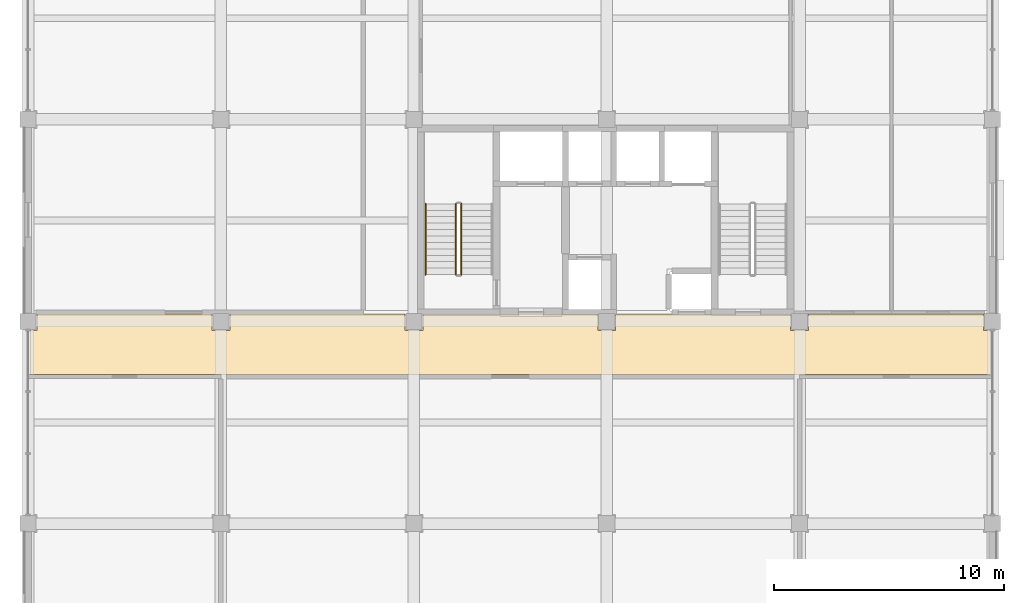
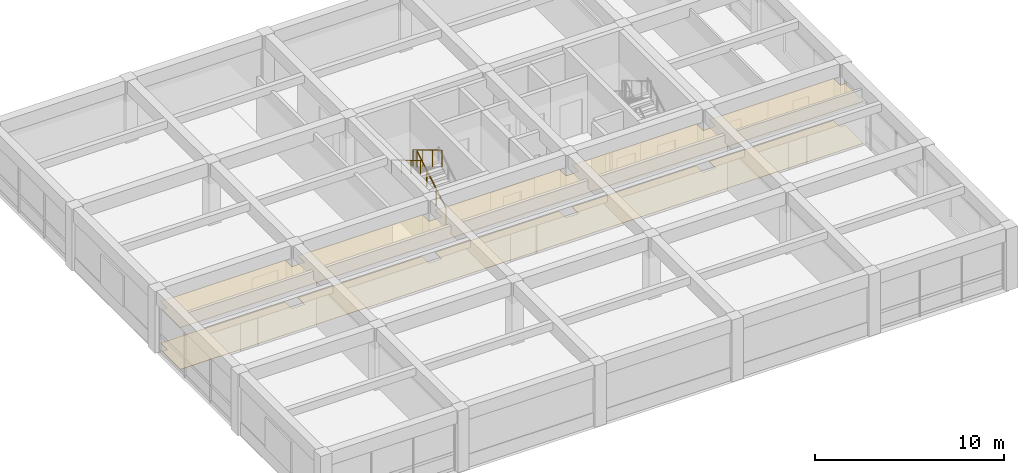
# One storey, part 12 of 14: 3 railings, 2 coverings.
"""IFC4 building model written with IfcOpenShell, lengths in metres."""

from ifc_helpers import new_model, si_unit, direction, frame, origin, origin_2d, place, context, subcontext, project, spatial, polyline, circle, outline, extrude, material, layer, layer_set, type_object, element, save


model = new_model("IFC4")

# Units and contexts
model_context = context("Model", 3, precision=1e-05, world=origin(), true_north=direction((0.0, 1.0)))
body_context = subcontext(model_context, "Body", "Model", "MODEL_VIEW")
ifc_project = project(units=[si_unit("LENGTHUNIT", "METRE"), si_unit("AREAUNIT", "SQUARE_METRE"), si_unit("VOLUMEUNIT", "CUBIC_METRE"), si_unit("PLANEANGLEUNIT", "RADIAN"), si_unit("MASSUNIT", "GRAM", prefix="KILO")], contexts=[model_context])

# Site, building, storey
site_placement = place(None, origin())
site = spatial("IfcSite", under=ifc_project, at=site_placement, CompositionType="ELEMENT")
building_placement = place(site_placement, origin())
building = spatial("IfcBuilding", under=site, at=building_placement, Name="Kemercrest Conservatory and Botanical Centre", CompositionType="ELEMENT")
storey_placement = place(building_placement, frame((0.0, 0.0, 28.800048828125)))
storey = spatial("IfcBuildingStorey", under=building, at=storey_placement, Name="L07", CompositionType="ELEMENT", Elevation=28.800048828125)

# Coverings
ifc_material_1 = material(Name="Perforated acoustic gypsum and mineral-fibre suspended ceiling", Category="gypsum")
ifc_layer_1 = layer(ifc_material_1, 0.034912109375)
ifc_layer_set_1 = layer_set([ifc_layer_1], Name="Perforated acoustic gypsum and mineral-fibre suspended ceiling")
covering_type_1 = type_object("IfcCoveringType", Name="CV-CLG035", PredefinedType="CEILING", material=ifc_layer_set_1)
covering_1_placement = place(storey_placement, frame((0.0, 0.0, 2.699951171875)))
element("IfcCovering", 1, at=covering_1_placement, inside=storey, type_object=covering_type_1, Name="Herbarium Corridor suspended acoustic ceiling", PredefinedType="CEILING", context=body_context, shape_type="SweptSolid", body=[
    extrude(outline(polyline([(134.080078125, 102.47998046875), (175.919921875, 102.47998046875), (175.919921875, 104.409912109375), (175.610107421875, 104.409912109375), (175.610107421875, 105.1201171875), (167.989990234375, 105.1201171875), (167.989990234375, 104.409912109375), (167.2099609375, 104.409912109375), (167.2099609375, 105.1201171875), (159.590087890625, 105.1201171875), (159.590087890625, 104.409912109375), (158.81005859375, 104.409912109375), (158.81005859375, 105.1201171875), (151.18994140625, 105.1201171875), (151.18994140625, 104.409912109375), (150.409912109375, 104.409912109375), (150.409912109375, 105.1201171875), (142.7900390625, 105.1201171875), (142.7900390625, 104.409912109375), (142.010009765625, 104.409912109375), (142.010009765625, 105.1201171875), (134.389892578125, 105.1201171875), (134.389892578125, 104.409912109375), (134.080078125, 104.409912109375), (134.080078125, 102.47998046875)])), origin(), (0.0, 0.0, 1.0), 0.034912109375),
])
ifc_material_2 = material(Name="Polished limestone terrazzo and seamless laboratory epoxy flooring", Category="masonry")
ifc_layer_2 = layer(ifc_material_2, 0.02001953125)
ifc_layer_set_2 = layer_set([ifc_layer_2], Name="Polished limestone terrazzo and seamless laboratory epoxy flooring")
covering_type_2 = type_object("IfcCoveringType", Name="CV-FLR020", PredefinedType="FLOORING", material=ifc_layer_set_2)
covering_2_placement = place(storey_placement, origin())
element("IfcCovering", 2, at=covering_2_placement, inside=storey, type_object=covering_type_2, Name="Herbarium Corridor floor finish", PredefinedType="FLOORING", context=body_context, shape_type="SweptSolid", body=[
    extrude(outline(polyline([(134.080078125, 102.47998046875), (175.919921875, 102.47998046875), (175.919921875, 104.409912109375), (175.610107421875, 104.409912109375), (175.610107421875, 105.1201171875), (167.989990234375, 105.1201171875), (167.989990234375, 104.409912109375), (167.2099609375, 104.409912109375), (167.2099609375, 105.1201171875), (159.590087890625, 105.1201171875), (159.590087890625, 104.409912109375), (158.81005859375, 104.409912109375), (158.81005859375, 105.1201171875), (151.18994140625, 105.1201171875), (151.18994140625, 104.409912109375), (150.409912109375, 104.409912109375), (150.409912109375, 105.1201171875), (142.7900390625, 105.1201171875), (142.7900390625, 104.409912109375), (142.010009765625, 104.409912109375), (142.010009765625, 105.1201171875), (134.389892578125, 105.1201171875), (134.389892578125, 104.409912109375), (134.080078125, 104.409912109375), (134.080078125, 102.47998046875)])), origin(), (0.0, 0.0, 1.0), 0.02001953125),
])

# Railings
ifc_material_3 = material(Name="Painted galvanized steel tubular stair guardrail", Category="steel")
railing_type_1 = type_object("IfcRailingType", Name="GR-STR110", PredefinedType="GUARDRAIL", material=ifc_material_3)
railing_1_placement = place(storey_placement, frame((152.8701171875, 106.840087890625, 0.16650390625)))
element("IfcRailing", 3, at=railing_1_placement, inside=storey, type_object=railing_type_1, Name="L07 ST-V4A stair guard 1", PredefinedType="GUARDRAIL", context=body_context, shape_type="SweptSolid", body=[
    extrude(circle(Radius=0.02392578125, at=origin_2d()), frame((0.0, 0.0, 1.076171875), z_axis=(0.0, 0.859260807169, 0.511537745687), x_axis=(-1.0, 0.0, 0.0)), (0.0, 0.0, 1.0), 3.584228515625),
    extrude(circle(Radius=0.02099609375, at=origin_2d()), origin(), (0.0, 0.0, 1.0), 1.052001953125),
    extrude(circle(Radius=0.02099609375, at=origin_2d()), frame((0.0, 1.026611328125, 0.611083984375)), (0.0, 0.0, 1.0), 1.052001953125),
    extrude(circle(Radius=0.02099609375, at=origin_2d()), frame((0.0, 2.05322265625, 1.222412109375)), (0.0, 0.0, 1.0), 1.052001953125),
    extrude(circle(Radius=0.02099609375, at=origin_2d()), frame((0.0, 3.079833984375, 1.83349609375)), (0.0, 0.0, 1.0), 1.052001953125),
])
railing_2_placement = place(storey_placement, frame((152.6298828125, 109.919921875, 2.16650390625)))
element("IfcRailing", 4, at=railing_2_placement, inside=storey, type_object=railing_type_1, Name="L07 ST-V4A stair guard 3", PredefinedType="GUARDRAIL", context=body_context, shape_type="SweptSolid", body=[
    extrude(circle(Radius=0.02392578125, at=origin_2d()), frame((0.0, 0.0, 1.076171875), z_axis=(0.0, -0.859260807169, 0.511537745687), x_axis=(1.0, 0.0, 0.0)), (0.0, 0.0, 1.0), 3.584228515625),
    extrude(circle(Radius=0.02099609375, at=origin_2d()), origin(), (0.0, 0.0, 1.0), 1.052001953125),
    extrude(circle(Radius=0.02099609375, at=origin_2d()), frame((0.0, -1.026611328125, 0.611083984375)), (0.0, 0.0, 1.0), 1.052001953125),
    extrude(circle(Radius=0.02099609375, at=origin_2d()), frame((0.0, -2.05322265625, 1.222412109375)), (0.0, 0.0, 1.0), 1.052001953125),
    extrude(circle(Radius=0.02099609375, at=origin_2d()), frame((0.0, -3.079833984375, 1.83349609375)), (0.0, 0.0, 1.0), 1.052001953125),
])
ifc_material_4 = material(Name="Brushed stainless steel wall-mounted handrail", Category="steel")
railing_type_2 = type_object("IfcRailingType", Name="HR-STR090", PredefinedType="HANDRAIL", material=ifc_material_4)
railing_3_placement = place(storey_placement, frame((151.31005859375, 109.919921875, 2.16650390625)))
element("IfcRailing", 5, at=railing_3_placement, inside=storey, type_object=railing_type_2, Name="L07 ST-V4A stair handrail 2", PredefinedType="HANDRAIL", context=body_context, shape_type="SweptSolid", body=[
    extrude(circle(Radius=0.02392578125, at=origin_2d()), frame((0.0, 0.0, 0.8759765625), z_axis=(0.0, -0.859260807169, 0.511537745687), x_axis=(1.0, 0.0, 0.0)), (0.0, 0.0, 1.0), 3.584228515625),
    extrude(circle(Radius=0.02099609375, at=origin_2d()), origin(), (0.0, 0.0, 1.0), 0.851806640625),
    extrude(circle(Radius=0.02099609375, at=origin_2d()), frame((0.0, -1.026611328125, 0.611083984375)), (0.0, 0.0, 1.0), 0.851806640625),
    extrude(circle(Radius=0.02099609375, at=origin_2d()), frame((0.0, -2.05322265625, 1.222412109375)), (0.0, 0.0, 1.0), 0.851806640625),
    extrude(circle(Radius=0.02099609375, at=origin_2d()), frame((0.0, -3.079833984375, 1.83349609375)), (0.0, 0.0, 1.0), 0.851806640625),
])

save(model, "model.ifc")
